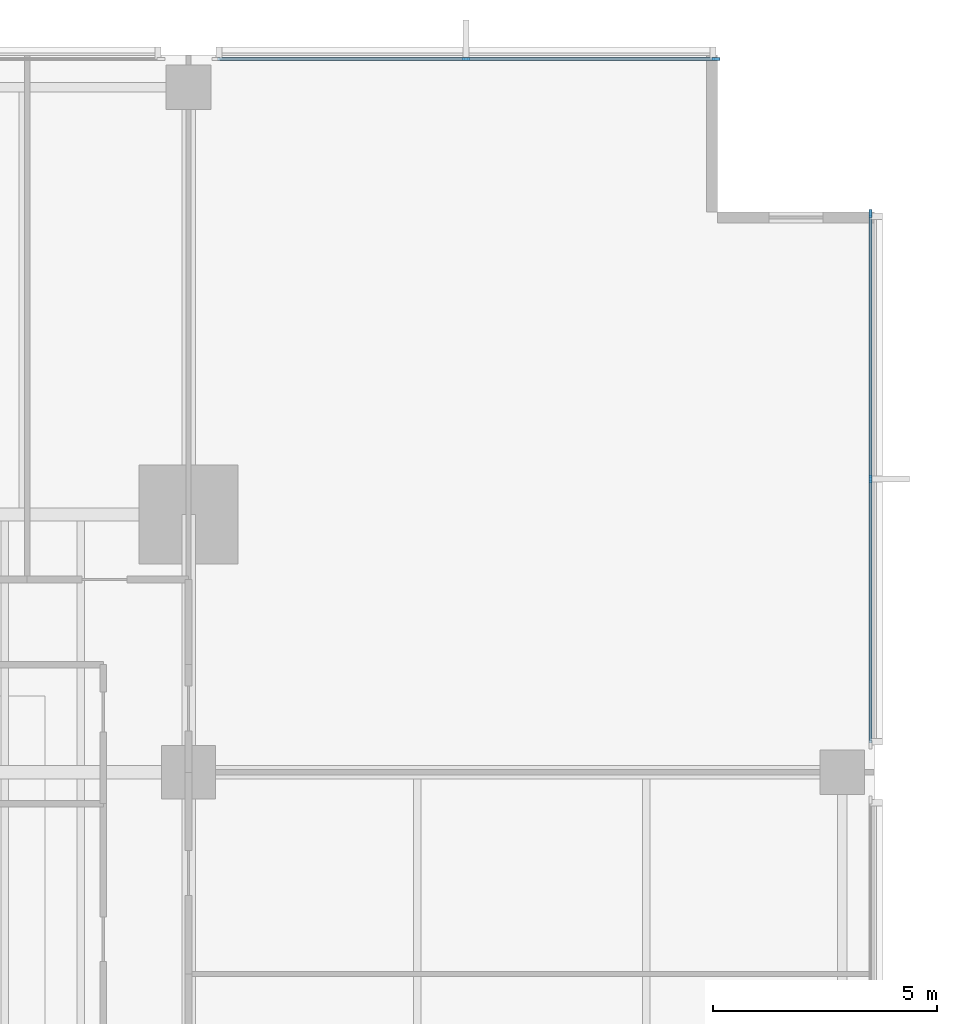
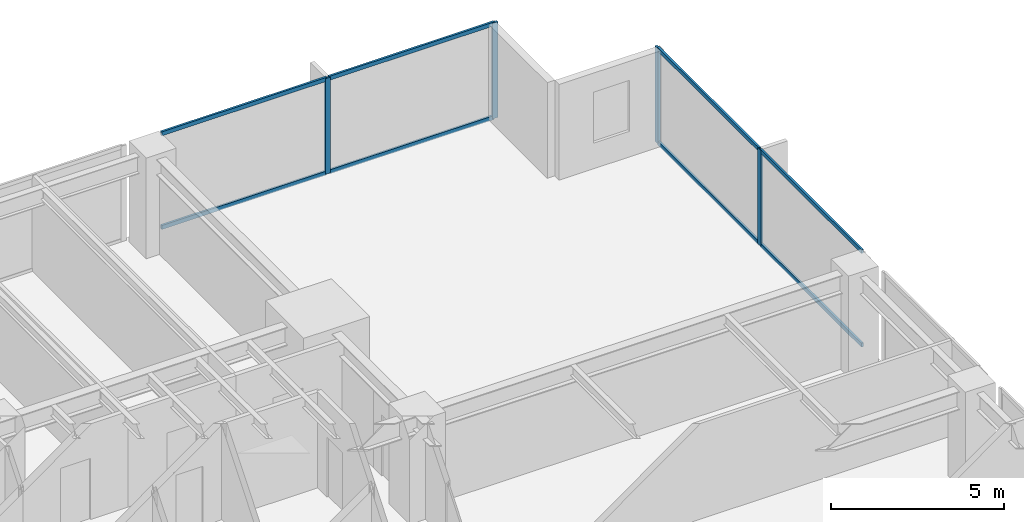
# One storey, part 6 of 16: 12 members, 2 elements without a shape of their own.
"""IFC4 building model written with IfcOpenShell, lengths in metres."""

import ifcopenshell
import ifcopenshell.guid

model = None  # the IFC model being written
_history = None  # IfcOwnerHistory: only IFC2X3 demands one
_inside = {}  # id of a spatial element -> (the spatial element, [elements in it])
_under = {}  # id of a project, library or spatial element -> (it, [spatial elements below it])
_declared = {}  # id of a project -> (the project, [libraries it declares])
_typed = {}  # id of a type object -> (the type object, [elements of that type])
_made_of = {}  # id of a material, layer set ... -> (it, [elements and type objects made of it])


def new_model(schema):
    """Start an empty IFC model of exactly this schema.

    Asked for "IFC4X3", IfcOpenShell would pick the latest addendum, in which some entities
    have other attributes; the version numbers below select the first issue.
    IFC2X3 requires an IfcOwnerHistory on every rooted entity: one is made here for all.
    """
    global model, _history
    if schema == "IFC4X3":
        model = ifcopenshell.file(schema_version=(4, 3, 0, 0))
    else:
        model = ifcopenshell.file(schema=schema)
    _inside.clear()
    _under.clear()
    _declared.clear()
    _typed.clear()
    _made_of.clear()
    _history = None
    if model.schema == "IFC2X3":
        org = make("IfcOrganization", Name="unknown")
        user = make(
            "IfcPersonAndOrganization",
            ThePerson=make("IfcPerson", FamilyName="unknown"),
            TheOrganization=org,
        )
        app = make(
            "IfcApplication",
            ApplicationDeveloper=org,
            Version="unknown",
            ApplicationFullName="unknown",
            ApplicationIdentifier="unknown",
        )
        _history = make(
            "IfcOwnerHistory",
            OwningUser=user,
            OwningApplication=app,
            ChangeAction="ADDED",
            CreationDate=0,
        )
    return model


def make(cls, **values):
    """One entity of the class cls with the attributes given. An attribute that is None is left unset."""
    return model.create_entity(
        cls, **{name: value for name, value in values.items() if value is not None}
    )


def rooted(cls, **values):
    """An entity with a GlobalId (a new one), such as an element, a storey or a relation."""
    return make(cls, GlobalId=ifcopenshell.guid.new(), OwnerHistory=_history, **values)


def si_unit(unit_type, name, prefix=None):
    """IfcSIUnit, for example si_unit("LENGTHUNIT", "METRE", prefix="MILLI")."""
    return make("IfcSIUnit", UnitType=unit_type, Prefix=prefix, Name=name)


def assignment(units):
    """IfcUnitAssignment: the units of a project."""
    return None if units is None else make("IfcUnitAssignment", Units=units)


def point(xyz):
    """IfcCartesianPoint."""
    return None if xyz is None else make("IfcCartesianPoint", Coordinates=xyz)


def direction(xyz):
    """IfcDirection."""
    return None if xyz is None else make("IfcDirection", DirectionRatios=xyz)


def frame(location, z_axis=None, x_axis=None):
    """IfcAxis2Placement3D, a coordinate frame: its origin and axes. An axis left out is left unset."""
    return make(
        "IfcAxis2Placement3D",
        Location=point(location),
        Axis=direction(z_axis),
        RefDirection=direction(x_axis),
    )


def frame_2d(location, x_axis=None):
    """IfcAxis2Placement2D, a coordinate frame in the plane: its origin and x axis."""
    return make(
        "IfcAxis2Placement2D", Location=point(location), RefDirection=direction(x_axis)
    )


def origin():
    """The frame at (0, 0, 0) with its axes left unset."""
    return frame((0.0, 0.0, 0.0))


def origin_2d():
    """The frame at (0, 0) in the plane with its x axis left unset."""
    return frame_2d((0.0, 0.0))


def place(relative_to, where):
    """IfcLocalPlacement: puts the frame where relative to a parent placement (None: the world)."""
    return make(
        "IfcLocalPlacement", PlacementRelTo=relative_to, RelativePlacement=where
    )


def context(
    kind, dimensions, precision=None, world=None, true_north=None, identifier=None
):
    """IfcGeometricRepresentationContext, for example the 3D "Model" context."""
    return make(
        "IfcGeometricRepresentationContext",
        ContextIdentifier=identifier,
        ContextType=kind,
        CoordinateSpaceDimension=dimensions,
        Precision=precision,
        WorldCoordinateSystem=world,
        TrueNorth=true_north,
    )


def subcontext(parent, identifier, kind, view, scale=None):
    """IfcGeometricRepresentationSubContext, for example "Body" below "Model"."""
    return make(
        "IfcGeometricRepresentationSubContext",
        ContextIdentifier=identifier,
        ContextType=kind,
        ParentContext=parent,
        TargetScale=scale,
        TargetView=view,
    )


def project(units=None, contexts=None):
    """IfcProject with its units and contexts."""
    return rooted(
        "IfcProject",
        Name="project",
        RepresentationContexts=contexts,
        UnitsInContext=assignment(units),
    )


def spatial(cls, under=None, at=None, **own):
    """A site, building, storey or space (cls), placed at a placement, below another one or the project."""
    s = rooted(cls, ObjectPlacement=at, **own)
    if under is not None:
        _under.setdefault(under.id(), (under, []))[1].append(s)
    return s


def profile(cls, at=None, kind="AREA", **sizes):
    """A parametric profile (cls). Its sizes go by their IFC names, for example OverallWidth=200.0."""
    return make(cls, ProfileType=kind, Position=at, **sizes)


def rectangle(**sizes):
    """IfcRectangleProfileDef."""
    return profile("IfcRectangleProfileDef", **sizes)


def extrude(swept, where, along, depth):
    """IfcExtrudedAreaSolid: the profile swept, set in the frame where, extruded along a direction by depth."""
    return make(
        "IfcExtrudedAreaSolid",
        SweptArea=swept,
        Position=where,
        ExtrudedDirection=direction(along),
        Depth=depth,
    )


def shape(context_of_items, identifier, shape_type, items):
    """IfcShapeRepresentation: the items that make up one representation, for example the "Body"."""
    return make(
        "IfcShapeRepresentation",
        ContextOfItems=context_of_items,
        RepresentationIdentifier=identifier,
        RepresentationType=shape_type,
        Items=items,
    )


def material(Name=None, Category=None):
    """IfcMaterial."""
    return make("IfcMaterial", Name=Name, Category=Category)


def layer(
    of_material, thickness, ventilated=None, Name=None, Category=None, Priority=None
):
    """IfcMaterialLayer: one layer of a wall or slab, of a material (None: an air gap)."""
    return make(
        "IfcMaterialLayer",
        Material=of_material,
        LayerThickness=thickness,
        IsVentilated=ventilated,
        Name=Name,
        Category=Category,
        Priority=Priority,
    )


def layer_set(layers, Name=None):
    """IfcMaterialLayerSet."""
    return make("IfcMaterialLayerSet", MaterialLayers=layers, LayerSetName=Name)


def material_profile(
    of_material, cross_section, Name=None, Category=None, Priority=None
):
    """IfcMaterialProfile: a cross section and its material."""
    return make(
        "IfcMaterialProfile",
        Name=Name,
        Material=of_material,
        Profile=cross_section,
        Priority=Priority,
        Category=Category,
    )


def profile_set(profiles, Name=None, composite=None):
    """IfcMaterialProfileSet."""
    return make(
        "IfcMaterialProfileSet",
        Name=Name,
        MaterialProfiles=profiles,
        CompositeProfile=composite,
    )


def made_of(thing, what):
    """Note that an element or type object is made of a material, layer set ...; save() writes the relation."""
    if what is not None:
        _made_of.setdefault(what.id(), (what, []))[1].append(thing)
    return thing


def type_object(cls, material=None, **own):
    """A type object (cls), such as IfcWallType, which elements share."""
    return made_of(rooted(cls, **own), material)


def element(
    cls,
    number,
    at=None,
    inside=None,
    cuts=None,
    type_object=None,
    material=None,
    context=None,
    identifier="Body",
    shape_type=None,
    held_by="IfcProductDefinitionShape",
    body=None,
    shapes=None,
    **own,
):
    """One element of the class cls, such as IfcWall. Its Tag is "e" and its number.

    at: its placement. inside: the storey or other place that contains it. cuts: it is an
    opening in that element (IfcRelVoidsElement). A single representation is given by context,
    identifier, shape_type and body (its items); several are given by shapes. held_by: the class
    of the entity that holds the representations. save() writes the other relations.
    """
    e = rooted(cls, Tag="e%d" % number, ObjectPlacement=at, **own)
    if body is not None:
        shapes = [shape(context, identifier, shape_type, body)]
    if shapes is not None:
        e.Representation = make(held_by, Representations=shapes)
    if inside is not None:
        _inside.setdefault(inside.id(), (inside, []))[1].append(e)
    if cuts is not None:
        rooted(
            "IfcRelVoidsElement", RelatingBuildingElement=cuts, RelatedOpeningElement=e
        )
    if type_object is not None:
        _typed.setdefault(type_object.id(), (type_object, []))[1].append(e)
    return made_of(e, material)


def aggregate(whole, parts):
    """IfcRelAggregates: a whole, such as a stair, and the parts it consists of."""
    return rooted("IfcRelAggregates", RelatingObject=whole, RelatedObjects=parts)


def save(model, path):
    """Write the relations noted so far, then the file.

    IfcRelAggregates (storeys below a building ...), IfcRelContainedInSpatialStructure (elements
    in a storey), IfcRelDefinesByType, IfcRelAssociatesMaterial and IfcRelDeclares: one each for
    every whole, place, type object, material and project.
    """
    for whole, parts in _under.values():
        aggregate(whole, parts)
    for where, things in _inside.values():
        rooted(
            "IfcRelContainedInSpatialStructure",
            RelatedElements=things,
            RelatingStructure=where,
        )
    for kind, things in _typed.values():
        rooted("IfcRelDefinesByType", RelatedObjects=things, RelatingType=kind)
    for what, things in _made_of.values():
        rooted("IfcRelAssociatesMaterial", RelatedObjects=things, RelatingMaterial=what)
    for by, libraries in _declared.values():
        rooted("IfcRelDeclares", RelatingContext=by, RelatedDefinitions=libraries)
    model.write(path)


model = new_model("IFC4")

# Units and contexts
model_context = context("Model", 3, precision=1e-05, world=origin(), true_north=direction((0.0, 1.0)))
body_context = subcontext(model_context, "Body", "Model", "MODEL_VIEW")
ifc_project = project(units=[si_unit("LENGTHUNIT", "METRE"), si_unit("AREAUNIT", "SQUARE_METRE"), si_unit("VOLUMEUNIT", "CUBIC_METRE"), si_unit("PLANEANGLEUNIT", "RADIAN"), si_unit("MASSUNIT", "GRAM", prefix="KILO")], contexts=[model_context])

# Site, building, storey
site_placement = place(None, origin())
site = spatial("IfcSite", under=ifc_project, at=site_placement, CompositionType="ELEMENT")
building_placement = place(site_placement, origin())
building = spatial("IfcBuilding", under=site, at=building_placement, Name="Kinhvarn Gate Tower", CompositionType="ELEMENT")
storey_placement = place(building_placement, frame((0.0, 0.0, 82.39990234375)))
storey = spatial("IfcBuildingStorey", under=building, at=storey_placement, Name="L21", CompositionType="ELEMENT", Elevation=82.39990234375)

# Curtain wall, members
ifc_material = material(Name="Anodised aluminium AW-6063", Category="aluminium")
ifc_layer = layer(ifc_material, 0.179931640625)
ifc_layer_set = layer_set([ifc_layer], Name="Anodised aluminium AW-6063")
curtain_wall_type = type_object("IfcCurtainWallType", Name="CW-SYS-2", PredefinedType="NOTDEFINED", material=ifc_layer_set)
curtain_wall_1_placement = place(storey_placement, origin())
curtain_wall_1 = element("IfcCurtainWall", 1, at=curtain_wall_1_placement, inside=storey, type_object=curtain_wall_type, Name="Curtain Wall CW2 (L21)", PredefinedType="NOTDEFINED")
ifc_material_profile_1 = material_profile(ifc_material, rectangle(XDim=0.070068359375, YDim=0.179931640625, at=origin_2d()), Name="ALU 70x180")
ifc_profile_set_1 = profile_set([ifc_material_profile_1], Name="Anodised aluminium AW-6063")
member_type_1 = type_object("IfcMemberType", Name="CW-MUL-180", PredefinedType="MULLION", material=ifc_profile_set_1)
member_1_placement = place(storey_placement, frame((49.965087890625, 47.909912109375, 0.0), z_axis=(0.0, 0.0, 1.0), x_axis=(0.0, -1.0, 0.0)))
member_1 = element("IfcMember", 2, at=member_1_placement, type_object=member_type_1, Name="CW2 mullion 1", PredefinedType="MULLION", context=body_context, shape_type="SweptSolid", body=[
    extrude(rectangle(XDim=0.070068359375, YDim=0.179931640625, at=origin_2d()), origin(), (0.0, 0.0, 1.0), 3.3701171875),
])
member_2_placement = place(storey_placement, frame((44.389892578125, 47.909912109375, 0.0), z_axis=(0.0, 0.0, 1.0), x_axis=(0.0, -1.0, 0.0)))
member_2 = element("IfcMember", 3, at=member_2_placement, type_object=member_type_1, Name="CW2 mullion 2", PredefinedType="MULLION", context=body_context, shape_type="SweptSolid", body=[
    extrude(rectangle(XDim=0.070068359375, YDim=0.179931640625, at=origin_2d()), origin(), (0.0, 0.0, 1.0), 3.3701171875),
])

curtain_wall_2_placement = place(storey_placement, origin())
curtain_wall_2 = element("IfcCurtainWall", 4, at=curtain_wall_2_placement, inside=storey, type_object=curtain_wall_type, Name="Curtain Wall CW2 (L21)", PredefinedType="NOTDEFINED")
member_3_placement = place(storey_placement, frame((53.409912109375, 38.5400390625, 0.0), z_axis=(0.0, 0.0, 1.0), x_axis=(-1.0, 0.0, 0.0)))
member_3 = element("IfcMember", 5, at=member_3_placement, type_object=member_type_1, Name="CW2 mullion 2", PredefinedType="MULLION", context=body_context, shape_type="SweptSolid", body=[
    extrude(rectangle(XDim=0.070068359375, YDim=0.179931640625, at=origin_2d()), origin(), (0.0, 0.0, 1.0), 3.3701171875),
])
member_4_placement = place(storey_placement, frame((53.409912109375, 44.465087890625, 0.0), z_axis=(0.0, 0.0, 1.0), x_axis=(-1.0, 0.0, 0.0)))
member_4 = element("IfcMember", 6, at=member_4_placement, type_object=member_type_1, Name="CW2 mullion 3", PredefinedType="MULLION", context=body_context, shape_type="SweptSolid", body=[
    extrude(rectangle(XDim=0.070068359375, YDim=0.179931640625, at=origin_2d()), origin(), (0.0, 0.0, 1.0), 3.3701171875),
])

# Member
ifc_material_profile_2 = material_profile(ifc_material, rectangle(XDim=0.070068359375, YDim=0.139892578125, at=origin_2d()), Name="ALU 70x140")
ifc_profile_set_2 = profile_set([ifc_material_profile_2], Name="Anodised aluminium AW-6063")
member_type_2 = type_object("IfcMemberType", Name="CW-TRN-140", PredefinedType="USERDEFINED", material=ifc_profile_set_2)
member_5_placement = place(storey_placement, frame((49.929931640625, 47.909912109375, 0.03515625), z_axis=(-1.0, 0.0, 0.0), x_axis=(0.0, -1.0, 0.0)))
member_5 = element("IfcMember", 7, at=member_5_placement, type_object=member_type_2, Name="CW2 transom 1.1", ObjectType="TRANSOM", PredefinedType="USERDEFINED", context=body_context, shape_type="SweptSolid", body=[
    extrude(rectangle(XDim=0.070068359375, YDim=0.139892578125, at=origin_2d()), origin(), (0.0, 0.0, 1.0), 5.5048828125),
])

member_6_placement = place(storey_placement, frame((49.929931640625, 47.909912109375, 3.335205078125), z_axis=(-1.0, 0.0, 0.0), x_axis=(0.0, -1.0, 0.0)))
member_6 = element("IfcMember", 8, at=member_6_placement, type_object=member_type_2, Name="CW2 transom 1.2", ObjectType="TRANSOM", PredefinedType="USERDEFINED", context=body_context, shape_type="SweptSolid", body=[
    extrude(rectangle(XDim=0.070068359375, YDim=0.139892578125, at=origin_2d()), origin(), (0.0, 0.0, 1.0), 5.5048828125),
])

member_7_placement = place(storey_placement, frame((44.35498046875, 47.909912109375, 0.03515625), z_axis=(-1.0, 0.0, 0.0), x_axis=(0.0, -1.0, 0.0)))
member_7 = element("IfcMember", 9, at=member_7_placement, type_object=member_type_2, Name="CW2 transom 2.1", ObjectType="TRANSOM", PredefinedType="USERDEFINED", context=body_context, shape_type="SweptSolid", body=[
    extrude(rectangle(XDim=0.070068359375, YDim=0.139892578125, at=origin_2d()), origin(), (0.0, 0.0, 1.0), 5.5048828125),
])

member_8_placement = place(storey_placement, frame((44.35498046875, 47.909912109375, 3.335205078125), z_axis=(-1.0, 0.0, 0.0), x_axis=(0.0, -1.0, 0.0)))
member_8 = element("IfcMember", 10, at=member_8_placement, type_object=member_type_2, Name="CW2 transom 2.2", ObjectType="TRANSOM", PredefinedType="USERDEFINED", context=body_context, shape_type="SweptSolid", body=[
    extrude(rectangle(XDim=0.070068359375, YDim=0.139892578125, at=origin_2d()), origin(), (0.0, 0.0, 1.0), 5.5048828125),
])

aggregate(curtain_wall_1, [member_1, member_2, member_5, member_6, member_7, member_8])

member_9_placement = place(storey_placement, frame((53.409912109375, 32.64990234375, 0.03515625), z_axis=(0.0, 1.0, 0.0), x_axis=(-1.0, 0.0, 0.0)))
member_9 = element("IfcMember", 11, at=member_9_placement, type_object=member_type_2, Name="CW2 transom 1.1", ObjectType="TRANSOM", PredefinedType="USERDEFINED", context=body_context, shape_type="SweptSolid", body=[
    extrude(rectangle(XDim=0.070068359375, YDim=0.139892578125, at=origin_2d()), origin(), (0.0, 0.0, 1.0), 5.85498046875),
])

member_10_placement = place(storey_placement, frame((53.409912109375, 32.64990234375, 3.335205078125), z_axis=(0.0, 1.0, 0.0), x_axis=(-1.0, 0.0, 0.0)))
member_10 = element("IfcMember", 12, at=member_10_placement, type_object=member_type_2, Name="CW2 transom 1.2", ObjectType="TRANSOM", PredefinedType="USERDEFINED", context=body_context, shape_type="SweptSolid", body=[
    extrude(rectangle(XDim=0.070068359375, YDim=0.139892578125, at=origin_2d()), origin(), (0.0, 0.0, 1.0), 5.85498046875),
])

member_11_placement = place(storey_placement, frame((53.409912109375, 38.574951171875, 0.03515625), z_axis=(0.0, 1.0, 0.0), x_axis=(-1.0, 0.0, 0.0)))
member_11 = element("IfcMember", 13, at=member_11_placement, type_object=member_type_2, Name="CW2 transom 2.1", ObjectType="TRANSOM", PredefinedType="USERDEFINED", context=body_context, shape_type="SweptSolid", body=[
    extrude(rectangle(XDim=0.070068359375, YDim=0.139892578125, at=origin_2d()), origin(), (0.0, 0.0, 1.0), 5.85498046875),
])

member_12_placement = place(storey_placement, frame((53.409912109375, 38.574951171875, 3.335205078125), z_axis=(0.0, 1.0, 0.0), x_axis=(-1.0, 0.0, 0.0)))
member_12 = element("IfcMember", 14, at=member_12_placement, type_object=member_type_2, Name="CW2 transom 2.2", ObjectType="TRANSOM", PredefinedType="USERDEFINED", context=body_context, shape_type="SweptSolid", body=[
    extrude(rectangle(XDim=0.070068359375, YDim=0.139892578125, at=origin_2d()), origin(), (0.0, 0.0, 1.0), 5.85498046875),
])

aggregate(curtain_wall_2, [member_3, member_4, member_9, member_10, member_11, member_12])

save(model, "model.ifc")
